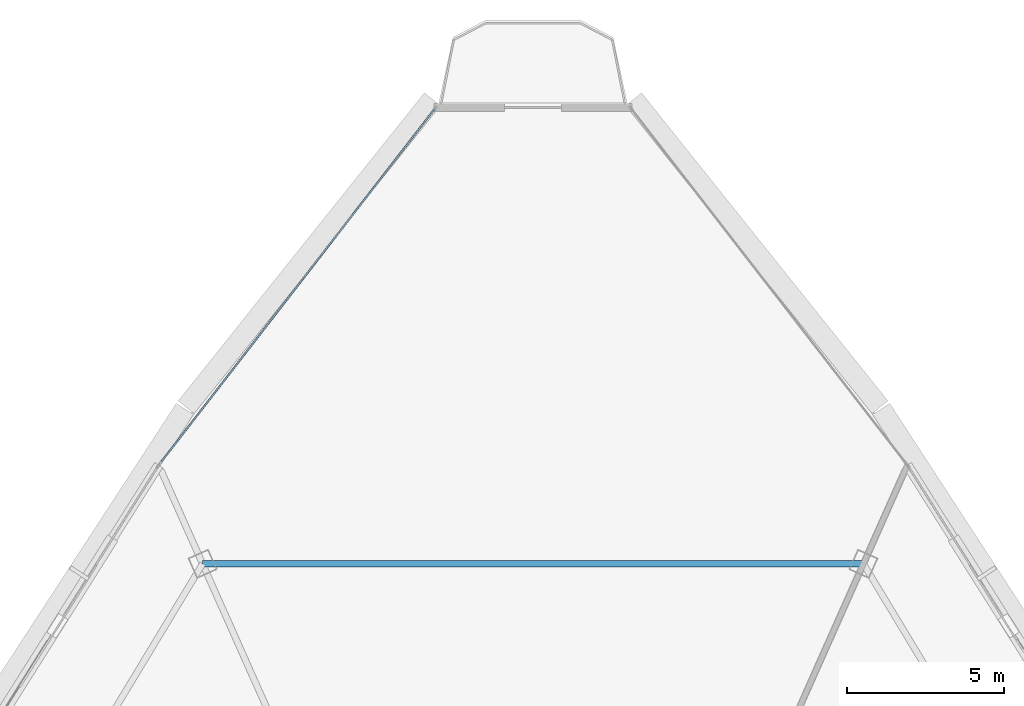
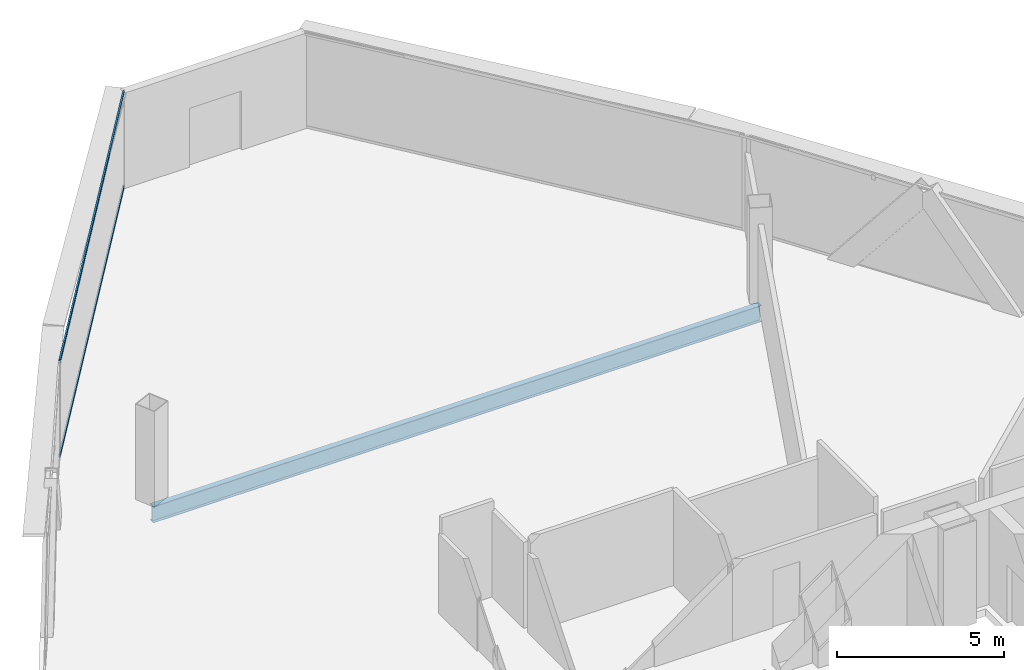
# One storey, part 17 of 26: 2 members, 1 beam, 1 element without a shape of its own.
"""IFC4 building model written with IfcOpenShell, lengths in metres."""

from ifc_helpers import new_model, si_unit, direction, frame, origin, origin_2d, place, context, subcontext, project, spatial, hollow_rectangle, i_section, extrude, source, transform, mapped, material, layer, layer_set, material_profile, profile_set, type_object, element, aggregate, save


model = new_model("IFC4")

# Units and contexts
model_context = context("Model", 3, precision=1e-05, world=origin(), true_north=direction((0.0, 1.0)))
body_context = subcontext(model_context, "Body", "Model", "MODEL_VIEW")
ifc_project = project(units=[si_unit("LENGTHUNIT", "METRE"), si_unit("AREAUNIT", "SQUARE_METRE"), si_unit("VOLUMEUNIT", "CUBIC_METRE"), si_unit("PLANEANGLEUNIT", "RADIAN"), si_unit("MASSUNIT", "GRAM", prefix="KILO"), si_unit("THERMODYNAMICTEMPERATUREUNIT", "KELVIN"), si_unit("POWERUNIT", "WATT")], contexts=[model_context])

# Site, building, storey
site_placement = place(None, origin())
site = spatial("IfcSite", under=ifc_project, at=site_placement, CompositionType="ELEMENT")
building_placement = place(site_placement, origin())
building = spatial("IfcBuilding", under=site, at=building_placement, Name="Yunzhuo Pagoda Commons", CompositionType="ELEMENT")
storey_placement = place(building_placement, frame((0.0, 0.0, 340.510009765625)))
storey = spatial("IfcBuildingStorey", under=building, at=storey_placement, Name="L85", CompositionType="ELEMENT", Elevation=340.510009765625)

# Beam
ifc_material_1 = material(Name="Structural steel Q355B", Category="steel")
ifc_material_profile_1 = material_profile(ifc_material_1, i_section(OverallWidth=0.199951171875, OverallDepth=0.60009765625, WebThickness=0.010986328125, FlangeThickness=0.01708984375, at=origin_2d()), Name="Structural steel Q355B")
ifc_profile_set_1 = profile_set([ifc_material_profile_1], Name="Structural steel Q355B")
beam_type = type_object("IfcBeamType", Name="B-RG3 Beam HN 600x200x11x17", PredefinedType="BEAM", material=ifc_profile_set_1)
shared_shape_1 = source(origin(), body_context, "Body", "SweptSolid", [
    extrude(i_section(OverallWidth=0.199951171875, OverallDepth=0.60009765625, WebThickness=0.010986328125, FlangeThickness=0.01708984375, at=origin_2d()), origin(), (0.0, 0.0, 1.0), 20.99755859375),
])
beam_placement = place(storey_placement, frame((58.498779296875, 57.281005859375, -0.56005859375), z_axis=(-1.0, 0.0, 0.0), x_axis=(0.0, -1.0, 0.0)))
element("IfcBeam", 1, at=beam_placement, inside=storey, type_object=beam_type, Name="L85 column-ring beam 8", PredefinedType="BEAM", context=body_context, shape_type="MappedRepresentation", body=[
    mapped(shared_shape_1, transform((0.0, 0.0, 0.0), scale=1.0)),
])

# Curtain wall, members
ifc_material_2 = material(Name="Anodized aluminium 6063-T6", Category="aluminium")
ifc_layer = layer(ifc_material_2, 0.139892578125)
ifc_layer_set = layer_set([ifc_layer], Name="Anodized aluminium 6063-T6")
curtain_wall_type = type_object("IfcCurtainWallType", Name="CW-HI High-Zone Ribbon Curtain Wall", PredefinedType="NOTDEFINED", material=ifc_layer_set)
curtain_wall_placement = place(storey_placement, origin())
curtain_wall = element("IfcCurtainWall", 2, at=curtain_wall_placement, inside=storey, type_object=curtain_wall_type, Name="L85 curtain wall CW-L85-F3B1", PredefinedType="NOTDEFINED")
ifc_material_profile_2 = material_profile(ifc_material_2, hollow_rectangle(XDim=0.054931640625, YDim=0.1201171875, WallThickness=0.00341796875, at=origin_2d()), Name="Anodized aluminium 6063-T6")
ifc_profile_set_2 = profile_set([ifc_material_profile_2], Name="Anodized aluminium 6063-T6")
member_type = type_object("IfcMemberType", Name="CW-HI-T Transom RHS 120x55x3.5", PredefinedType="USERDEFINED", material=ifc_profile_set_2)
shared_shape_2 = source(origin(), body_context, "Body", "SweptSolid", [
    extrude(hollow_rectangle(XDim=0.054931640625, YDim=0.1201171875, WallThickness=0.00341796875, at=origin_2d()), origin(), (0.0, 0.0, 1.0), 14.18017578125),
])
member_1_placement = place(storey_placement, frame((44.871826171875, 71.73388671875, 0.027587890625), z_axis=(-0.612422141113, -0.790530910892, 0.0), x_axis=(0.790530910892, -0.612422141113, 0.0)))
member_1 = element("IfcMember", 3, at=member_1_placement, type_object=member_type, Name="CW transom 1.1", ObjectType="TRANSOM", PredefinedType="USERDEFINED", context=body_context, shape_type="MappedRepresentation", body=[
    mapped(shared_shape_2, transform((0.0, 0.0, 0.0), scale=1.0)),
])
member_2_placement = place(storey_placement, frame((44.871826171875, 71.73388671875, 3.46240234375), z_axis=(-0.612422141113, -0.790530910892, 0.0), x_axis=(0.790530910892, -0.612422141113, 0.0)))
member_2 = element("IfcMember", 4, at=member_2_placement, type_object=member_type, Name="CW transom 1.2", ObjectType="TRANSOM", PredefinedType="USERDEFINED", context=body_context, shape_type="MappedRepresentation", body=[
    mapped(shared_shape_2, transform((0.0, 0.0, 0.0), scale=1.0)),
])
aggregate(curtain_wall, [member_1, member_2])

save(model, "model.ifc")
